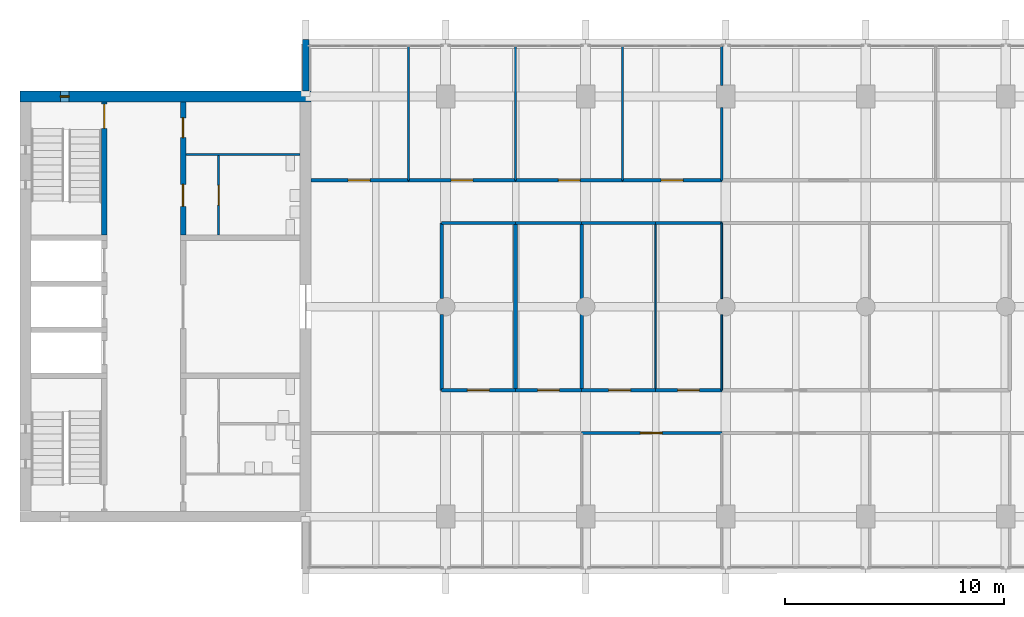
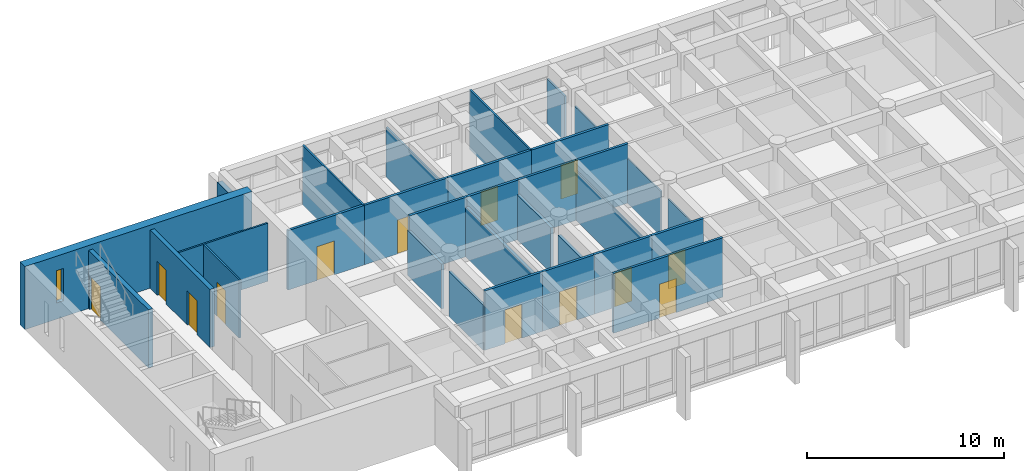
# One storey, part 10 of 15: 32 walls, 13 doors, 1 window, 14 openings.
"""IFC4 building model written with IfcOpenShell, lengths in metres."""

from ifc_helpers import new_model, si_unit, direction, frame, frame_2d, origin, place, context, subcontext, project, spatial, rectangle, extrude, material, layer, layer_set, type_object, element, fill, save


model = new_model("IFC4")

# Units and contexts
model_context = context("Model", 3, precision=1e-05, world=origin(), true_north=direction((0.0, 1.0)))
body_context = subcontext(model_context, "Body", "Model", "MODEL_VIEW")
ifc_project = project(units=[si_unit("LENGTHUNIT", "METRE"), si_unit("AREAUNIT", "SQUARE_METRE"), si_unit("VOLUMEUNIT", "CUBIC_METRE"), si_unit("PLANEANGLEUNIT", "RADIAN"), si_unit("MASSUNIT", "GRAM", prefix="KILO")], contexts=[model_context])

# Site, building, storey
site_placement = place(None, origin())
site = spatial("IfcSite", under=ifc_project, at=site_placement, CompositionType="ELEMENT")
building_placement = place(site_placement, origin())
building = spatial("IfcBuilding", under=site, at=building_placement, Name="Fogon Plaza Fire Station and Headquarters Tower", CompositionType="ELEMENT")
storey_placement = place(building_placement, frame((0.0, 0.0, 52.199951171875)))
storey = spatial("IfcBuildingStorey", under=building, at=storey_placement, Name="L13", CompositionType="ELEMENT", Elevation=52.199951171875)

# Wall, opening, door
ifc_material_1 = material(Name="Concrete C40", Category="concrete")
ifc_layer_1 = layer(ifc_material_1, 0.25)
ifc_layer_set_1 = layer_set([ifc_layer_1], Name="Concrete C40")
wall_type_1 = type_object("IfcWallType", Name="Core Wall RC 250", PredefinedType="SOLIDWALL", material=ifc_layer_set_1)
wall_1_placement = place(storey_placement, frame((16.39990234375, 46.47509765625, 0.0), z_axis=(0.0, 0.0, 1.0), x_axis=(0.0, 1.0, 0.0)))
wall_1 = element("IfcWall", 1, at=wall_1_placement, inside=storey, type_object=wall_type_1, Name="Core A shaft wall", PredefinedType="SOLIDWALL", context=body_context, shape_type="SweptSolid", body=[
    extrude(rectangle(XDim=6.074951171875, YDim=0.25, at=frame_2d((3.03759765625, 0.0))), origin(), (0.0, 0.0, 1.0), 3.60009765625),
])
opening_1_placement = place(wall_1_placement, frame((4.875, 0.0, 0.0)))
opening_1 = element("IfcOpeningElement", 2, at=opening_1_placement, cuts=wall_1, Name="Opening L13-D02", PredefinedType="OPENING", context=body_context, shape_type="SweptSolid", body=[
    extrude(rectangle(XDim=1.10009765625, YDim=2.10009765625, at=frame_2d((0.550048828125, 1.050048828125))), frame((0.0, 0.135009765625, 0.0), z_axis=(0.0, -1.0, 0.0), x_axis=(1.0, 0.0, 0.0)), (0.0, 0.0, 1.0), 0.27001953125),
])
ifc_material_2 = material(Name="Steel Fire Door Leaf", Category="steel")
door_type_1 = type_object("IfcDoorType", Name="Stair Door Single 1100x2100", OperationType="SINGLE_SWING_LEFT", PredefinedType="DOOR", material=ifc_material_2)
door_1_placement = place(opening_1_placement, origin())
door_1 = element("IfcDoor", 3, at=door_1_placement, inside=storey, type_object=door_type_1, Name="Stair door ST2", OperationType="SINGLE_SWING_RIGHT", OverallHeight=2.10009765625, OverallWidth=1.10009765625, PredefinedType="DOOR", context=body_context, shape_type="SweptSolid", body=[
    extrude(rectangle(XDim=1.10009765625, YDim=2.10009765625, at=frame_2d((0.550048828125, 1.050048828125))), frame((0.0, 0.02490234375, 0.0), z_axis=(0.0, -1.0, 0.0), x_axis=(1.0, 0.0, 0.0)), (0.0, 0.0, 1.0), 0.050048828125),
])
fill(opening_1, door_1)

# Wall, openings, doors
wall_2_placement = place(storey_placement, frame((20.0, 46.47509765625, 0.0), z_axis=(0.0, 0.0, 1.0), x_axis=(0.0, 1.0, 0.0)))
wall_2 = element("IfcWall", 4, at=wall_2_placement, inside=storey, type_object=wall_type_1, Name="Core A shaft wall", PredefinedType="SOLIDWALL", context=body_context, shape_type="SweptSolid", body=[
    extrude(rectangle(XDim=6.074951171875, YDim=0.25, at=frame_2d((3.03759765625, 0.0))), origin(), (0.0, 0.0, 1.0), 3.60009765625),
])
opening_2_placement = place(wall_2_placement, frame((1.3125, 0.0, 0.0)))
opening_2 = element("IfcOpeningElement", 5, at=opening_2_placement, cuts=wall_2, Name="Opening L13-D12", PredefinedType="OPENING", context=body_context, shape_type="SweptSolid", body=[
    extrude(rectangle(XDim=1.0, YDim=2.10009765625, at=frame_2d((0.5, 1.050048828125))), frame((0.0, 0.135009765625, 0.0), z_axis=(0.0, -1.0, 0.0), x_axis=(1.0, 0.0, 0.0)), (0.0, 0.0, 1.0), 0.27001953125),
])
opening_3_placement = place(wall_2_placement, frame((4.449951171875, 0.0, 0.0)))
opening_3 = element("IfcOpeningElement", 6, at=opening_3_placement, cuts=wall_2, Name="Opening L13-D14", PredefinedType="OPENING", context=body_context, shape_type="SweptSolid", body=[
    extrude(rectangle(XDim=0.89990234375, YDim=2.10009765625, at=frame_2d((0.449951171875, 1.050048828125))), frame((0.0, 0.135009765625, 0.0), z_axis=(0.0, -1.0, 0.0), x_axis=(1.0, 0.0, 0.0)), (0.0, 0.0, 1.0), 0.27001953125),
])
ifc_material_3 = material(Name="Steel Fire Door Leaf", Category="steel")
door_type_2 = type_object("IfcDoorType", Name="Riser Single 900x2100", OperationType="SINGLE_SWING_LEFT", PredefinedType="DOOR", material=ifc_material_3)
door_2_placement = place(opening_3_placement, frame((0.89990234375, 0.0, 0.0), z_axis=(0.0, 0.0, 1.0), x_axis=(-1.0, 0.0, 0.0)))
door_2 = element("IfcDoor", 7, at=door_2_placement, inside=storey, type_object=door_type_2, Name="Riser room A door", OperationType="SINGLE_SWING_LEFT", OverallHeight=2.10009765625, OverallWidth=0.89990234375, PredefinedType="DOOR", context=body_context, shape_type="SweptSolid", body=[
    extrude(rectangle(XDim=0.89990234375, YDim=2.10009765625, at=frame_2d((0.449951171875, 1.050048828125))), frame((0.0, 0.02490234375, 0.0), z_axis=(0.0, -1.0, 0.0), x_axis=(1.0, 0.0, 0.0)), (0.0, 0.0, 1.0), 0.050048828125),
])
fill(opening_3, door_2)
ifc_material_4 = material(Name="Timber fire door", Category="wood")
door_type_3 = type_object("IfcDoorType", Name="WC Lobby Single 1000x2100", OperationType="SINGLE_SWING_LEFT", PredefinedType="DOOR", material=ifc_material_4)
door_3_placement = place(opening_2_placement, frame((1.0, 0.0, 0.0), z_axis=(0.0, 0.0, 1.0), x_axis=(-1.0, 0.0, 0.0)))
door_3 = element("IfcDoor", 8, at=door_3_placement, inside=storey, type_object=door_type_3, Name="Women's WC lobby A door", OperationType="SINGLE_SWING_LEFT", OverallHeight=2.10009765625, OverallWidth=1.0, PredefinedType="DOOR", context=body_context, shape_type="SweptSolid", body=[
    extrude(rectangle(XDim=1.0, YDim=2.10009765625, at=frame_2d((0.5, 1.050048828125))), frame((0.0, 0.02490234375, 0.0), z_axis=(0.0, -1.0, 0.0), x_axis=(1.0, 0.0, 0.0)), (0.0, 0.0, 1.0), 0.050048828125),
])
fill(opening_2, door_3)

# Wall
ifc_material_5 = material(Name="Concrete C40", Category="concrete")
ifc_layer_2 = layer(ifc_material_5, 0.300048828125)
ifc_layer_set_2 = layer_set([ifc_layer_2], Name="Concrete C40")
wall_type_2 = type_object("IfcWallType", Name="Fair-faced RC Return Panel 300", PredefinedType="SOLIDWALL", material=ifc_layer_set_2)
wall_3_placement = place(storey_placement, frame((25.60009765625, 53.050048828125, 0.0), z_axis=(0.0, 0.0, 1.0), x_axis=(0.0, 1.0, 0.0)))
element("IfcWall", 9, at=wall_3_placement, inside=storey, type_object=wall_type_2, Name="Bar end return WN L13", PredefinedType="SOLIDWALL", context=body_context, shape_type="SweptSolid", body=[
    extrude(rectangle(XDim=2.349853515625, YDim=0.300048828125, at=frame_2d((1.1748046875, 0.0))), origin(), (0.0, 0.0, 1.0), 2.880126953125),
])

# Wall, opening, door
ifc_material_6 = material(Name="Blockwork", Category="masonry")
ifc_layer_3 = layer(ifc_material_6, 0.10009765625)
ifc_layer_set_3 = layer_set([ifc_layer_3], Name="Blockwork")
wall_type_3 = type_object("IfcWallType", Name="Partition Blockwork 100", PredefinedType="PARTITIONING", material=ifc_layer_set_3)
wall_4_placement = place(storey_placement, frame((21.625, 46.47509765625, 0.0), z_axis=(0.0, 0.0, 1.0), x_axis=(0.0, 1.0, 0.0)))
wall_4 = element("IfcWall", 10, at=wall_4_placement, inside=storey, type_object=wall_type_3, Name="WC block partition", PredefinedType="PARTITIONING", context=body_context, shape_type="SweptSolid", body=[
    extrude(rectangle(XDim=3.625, YDim=0.10009765625, at=frame_2d((1.8125, 0.0))), origin(), (0.0, 0.0, 1.0), 3.60009765625),
])
opening_4_placement = place(wall_4_placement, frame((1.362548828125, 0.0, 0.0)))
opening_4 = element("IfcOpeningElement", 11, at=opening_4_placement, cuts=wall_4, Name="Opening L13-D13", PredefinedType="OPENING", context=body_context, shape_type="SweptSolid", body=[
    extrude(rectangle(XDim=0.89990234375, YDim=2.10009765625, at=frame_2d((0.449951171875, 1.050048828125))), frame((0.0, 0.06005859375, 0.0), z_axis=(0.0, -1.0, 0.0), x_axis=(1.0, 0.0, 0.0)), (0.0, 0.0, 1.0), 0.1201171875),
])
ifc_material_7 = material(Name="Timber Door Leaf", Category="wood")
door_type_4 = type_object("IfcDoorType", Name="WC Single 900x2100", OperationType="SINGLE_SWING_LEFT", PredefinedType="DOOR", material=ifc_material_7)
door_4_placement = place(opening_4_placement, frame((0.89990234375, 0.0, 0.0), z_axis=(0.0, 0.0, 1.0), x_axis=(-1.0, 0.0, 0.0)))
door_4 = element("IfcDoor", 12, at=door_4_placement, inside=storey, type_object=door_type_4, Name="Women's WC A door", OperationType="SINGLE_SWING_RIGHT", OverallHeight=2.10009765625, OverallWidth=0.89990234375, PredefinedType="DOOR", context=body_context, shape_type="SweptSolid", body=[
    extrude(rectangle(XDim=0.89990234375, YDim=2.10009765625, at=frame_2d((0.449951171875, 1.050048828125))), frame((0.0, 0.02490234375, 0.0), z_axis=(0.0, -1.0, 0.0), x_axis=(1.0, 0.0, 0.0)), (0.0, 0.0, 1.0), 0.050048828125),
])
fill(opening_4, door_4)

# Wall
ifc_material_8 = material(Name="Blockwork", Category="masonry")
ifc_layer_4 = layer(ifc_material_8, 0.10009765625)
ifc_layer_set_4 = layer_set([ifc_layer_4], Name="Blockwork")
wall_type_4 = type_object("IfcWallType", Name="Riser Partition Blockwork 100", PredefinedType="PARTITIONING", material=ifc_layer_set_4)
wall_5_placement = place(storey_placement, frame((20.125, 50.14990234375, 0.0), z_axis=(0.0, 0.0, 1.0), x_axis=(1.0, 0.0, 0.0)))
element("IfcWall", 13, at=wall_5_placement, inside=storey, type_object=wall_type_4, Name="Riser room partition", PredefinedType="PARTITIONING", context=body_context, shape_type="SweptSolid", body=[
    extrude(rectangle(XDim=5.22509765625, YDim=0.10009765625, at=frame_2d((2.612548828125, 0.0))), origin(), (0.0, 0.0, 1.0), 3.60009765625),
])

# Wall, opening, window
ifc_material_9 = material(Name="Concrete C40", Category="concrete")
ifc_layer_5 = layer(ifc_material_9, 0.5)
ifc_layer_set_5 = layer_set([ifc_layer_5], Name="Concrete C40")
wall_type_5 = type_object("IfcWallType", Name="Shear wall 500 SW50", PredefinedType="SHEAR", material=ifc_layer_set_5)
wall_6_placement = place(storey_placement, frame((12.550048828125, 52.800048828125, 0.0), z_axis=(0.0, 0.0, 1.0), x_axis=(1.0, 0.0, 0.0)))
wall_6 = element("IfcWall", 14, at=wall_6_placement, inside=storey, type_object=wall_type_5, Name="wall-coreA-N-L13", PredefinedType="SHEAR", context=body_context, shape_type="SweptSolid", body=[
    extrude(rectangle(XDim=13.300048828125, YDim=0.5, at=frame_2d((6.64990234375, 0.0))), origin(), (0.0, 0.0, 1.0), 3.900146484375),
])
opening_5_placement = place(wall_6_placement, frame((1.85009765625, 0.0, 1.0)))
opening_5 = element("IfcOpeningElement", 15, at=opening_5_placement, cuts=wall_6, Name="Opening WS1", PredefinedType="OPENING", context=body_context, shape_type="SweptSolid", body=[
    extrude(rectangle(XDim=0.39990234375, YDim=2.0, at=frame_2d((0.199951171875, 1.0))), frame((0.0, 0.260009765625, 0.0), z_axis=(0.0, -1.0, 0.0), x_axis=(1.0, 0.0, 0.0)), (0.0, 0.0, 1.0), 0.52001953125),
])
ifc_material_10 = material(Name="Aluminium framed double glazing", Category="aluminium")
window_type = type_object("IfcWindowType", Name="Slit Window WS1 400x2000", PartitioningType="SINGLE_PANEL", PredefinedType="WINDOW", material=ifc_material_10)
window_placement = place(opening_5_placement, origin())
window = element("IfcWindow", 16, at=window_placement, inside=storey, type_object=window_type, Name="Slit window A6 L13", OverallHeight=2.0, OverallWidth=0.39990234375, PartitioningType="SINGLE_PANEL", PredefinedType="WINDOW", context=body_context, shape_type="SweptSolid", body=[
    extrude(rectangle(XDim=0.39990234375, YDim=2.0, at=frame_2d((0.199951171875, 1.0))), frame((0.0, 0.030029296875, 0.0), z_axis=(0.0, -1.0, 0.0), x_axis=(1.0, 0.0, 0.0)), (0.0, 0.0, 1.0), 0.06005859375),
])
fill(opening_5, window)

# Walls
ifc_material_11 = material(Name="Double gypsum board on twin steel stud", Category="steel")
ifc_layer_6 = layer(ifc_material_11, 0.175048828125)
ifc_layer_set_6 = layer_set([ifc_layer_6], Name="Double gypsum board on twin steel stud")
wall_type_6 = type_object("IfcWallType", Name="Tower acoustic partition 175 Beam Head 600", PredefinedType="PARTITIONING", material=ifc_layer_set_6)
wall_7_placement = place(storey_placement, frame((35.199951171875, 39.375, 0.0), z_axis=(0.0, 0.0, 1.0), x_axis=(0.0, 1.0, 0.0)))
element("IfcWall", 17, at=wall_7_placement, inside=storey, type_object=wall_type_6, Name="part-L13-28", PredefinedType="PARTITIONING", context=body_context, shape_type="SweptSolid", body=[
    extrude(rectangle(XDim=7.64990234375, YDim=0.175048828125, at=frame_2d((3.824951171875, 0.0))), origin(), (0.0, 0.0, 1.0), 3.080078125),
])
ifc_material_12 = material(Name="Double gypsum board on twin steel stud", Category="steel")
ifc_layer_7 = layer(ifc_material_12, 0.175048828125)
ifc_layer_set_7 = layer_set([ifc_layer_7], Name="Double gypsum board on twin steel stud")
wall_type_7 = type_object("IfcWallType", Name="Tower acoustic partition 175 Beam Head 900", PredefinedType="PARTITIONING", material=ifc_layer_set_7)
for number, where, z_axis, x_axis, name in (
    (18, (38.219970703125, 39.375, 0.0), (0.0, 0.0, 1.0), (0.0, 1.0, 0.0), "part-L13-29"),
    (19, (38.219970703125, 43.56494140625, 0.0), (0.0, 0.0, 1.0), (0.0, 1.0, 0.0), "part-L13-30"),
):
    element("IfcWall", number, at=place(storey_placement, frame(where, z_axis=z_axis, x_axis=x_axis)), inside=storey, type_object=wall_type_7, Name=name, PredefinedType="PARTITIONING", context=body_context, shape_type="SweptSolid", body=[
        extrude(rectangle(XDim=3.4599609375, YDim=0.175048828125, at=frame_2d((1.72998046875, 0.0))), origin(), (0.0, 0.0, 1.0), 2.780029296875),
    ])

# Wall, opening, door
ifc_material_13 = material(Name="Gypsum board on steel stud", Category="steel")
ifc_layer_8 = layer(ifc_material_13, 0.14990234375)
ifc_layer_set_8 = layer_set([ifc_layer_8], Name="Gypsum board on steel stud")
wall_type_8 = type_object("IfcWallType", Name="Tower corridor partition 150 EI 60", PredefinedType="PARTITIONING", material=ifc_layer_set_8)
wall_8_placement = place(storey_placement, frame((38.219970703125, 37.425048828125, 0.0), z_axis=(0.0, 0.0, 1.0), x_axis=(1.0, 0.0, 0.0)))
wall_8 = element("IfcWall", 20, at=wall_8_placement, inside=storey, type_object=wall_type_8, Name="part-L13-03", PredefinedType="PARTITIONING", context=body_context, shape_type="SweptSolid", body=[
    extrude(rectangle(XDim=6.400146484375, YDim=0.14990234375, at=frame_2d((3.2001953125, 0.0))), origin(), (0.0, 0.0, 1.0), 3.679931640625),
])
opening_6_placement = place(wall_8_placement, frame((2.679931640625, 0.0, 0.0)))
opening_6 = element("IfcOpeningElement", 21, at=opening_6_placement, cuts=wall_8, Name="Opening L13-D31", PredefinedType="OPENING", context=body_context, shape_type="SweptSolid", body=[
    extrude(rectangle(XDim=1.0, YDim=2.10009765625, at=frame_2d((0.5, 1.050048828125))), frame((0.0, 0.0849609375, 0.0), z_axis=(0.0, -1.0, 0.0), x_axis=(1.0, 0.0, 0.0)), (0.0, 0.0, 1.0), 0.169921875),
])
ifc_material_14 = material(Name="Fire rated glazed door")
door_type_5 = type_object("IfcDoorType", Name="Tower glazed fire door single 1000 EI 20", OperationType="SINGLE_SWING_LEFT", PredefinedType="DOOR", material=ifc_material_14)
door_5_placement = place(opening_6_placement, frame((1.0, 0.0, 0.0), z_axis=(0.0, 0.0, 1.0), x_axis=(-1.0, 0.0, 0.0)))
door_5 = element("IfcDoor", 22, at=door_5_placement, inside=storey, type_object=door_type_5, Name="door-L13-03", OperationType="SINGLE_SWING_RIGHT", OverallHeight=2.10009765625, OverallWidth=1.0, PredefinedType="DOOR", context=body_context, shape_type="SweptSolid", body=[
    extrude(rectangle(XDim=1.0, YDim=2.10009765625, at=frame_2d((0.5, 1.050048828125))), frame((0.0, 0.02490234375, 0.0), z_axis=(0.0, -1.0, 0.0), x_axis=(1.0, 0.0, 0.0)), (0.0, 0.0, 1.0), 0.050048828125),
])
fill(opening_6, door_5)

wall_9_placement = place(storey_placement, frame((31.820068359375, 39.375, 0.0), z_axis=(0.0, 0.0, 1.0), x_axis=(1.0, 0.0, 0.0)))
wall_9 = element("IfcWall", 23, at=wall_9_placement, inside=storey, type_object=wall_type_8, Name="part-L13-16", PredefinedType="PARTITIONING", context=body_context, shape_type="SweptSolid", body=[
    extrude(rectangle(XDim=3.3798828125, YDim=0.14990234375, at=frame_2d((1.68994140625, 0.0))), origin(), (0.0, 0.0, 1.0), 3.679931640625),
])
opening_7_placement = place(wall_9_placement, frame((1.179931640625, 0.0, 0.0)))
opening_7 = element("IfcOpeningElement", 24, at=opening_7_placement, cuts=wall_9, Name="Opening L13-D35", PredefinedType="OPENING", context=body_context, shape_type="SweptSolid", body=[
    extrude(rectangle(XDim=1.0, YDim=2.10009765625, at=frame_2d((0.5, 1.050048828125))), frame((0.0, 0.0849609375, 0.0), z_axis=(0.0, -1.0, 0.0), x_axis=(1.0, 0.0, 0.0)), (0.0, 0.0, 1.0), 0.169921875),
])
ifc_material_15 = material(Name="Timber fire door", Category="wood")
door_type_6 = type_object("IfcDoorType", Name="Tower fire door single 1000 EI 20", OperationType="SINGLE_SWING_LEFT", PredefinedType="DOOR", material=ifc_material_15)
door_6_placement = place(opening_7_placement, origin())
door_6 = element("IfcDoor", 25, at=door_6_placement, inside=storey, type_object=door_type_6, Name="door-L13-07", OperationType="SINGLE_SWING_RIGHT", OverallHeight=2.10009765625, OverallWidth=1.0, PredefinedType="DOOR", context=body_context, shape_type="SweptSolid", body=[
    extrude(rectangle(XDim=1.0, YDim=2.10009765625, at=frame_2d((0.5, 1.050048828125))), frame((0.0, 0.02490234375, 0.0), z_axis=(0.0, -1.0, 0.0), x_axis=(1.0, 0.0, 0.0)), (0.0, 0.0, 1.0), 0.050048828125),
])
fill(opening_7, door_6)

# Wall
wall_10_placement = place(storey_placement, frame((31.820068359375, 47.02490234375, 0.0), z_axis=(0.0, 0.0, 1.0), x_axis=(1.0, 0.0, 0.0)))
element("IfcWall", 26, at=wall_10_placement, inside=storey, type_object=wall_type_8, Name="part-L13-17", PredefinedType="PARTITIONING", context=body_context, shape_type="SweptSolid", body=[
    extrude(rectangle(XDim=3.3798828125, YDim=0.14990234375, at=frame_2d((1.68994140625, 0.0))), origin(), (0.0, 0.0, 1.0), 3.679931640625),
])

# Wall, opening, door
wall_11_placement = place(storey_placement, frame((35.199951171875, 39.375, 0.0), z_axis=(0.0, 0.0, 1.0), x_axis=(1.0, 0.0, 0.0)))
wall_11 = element("IfcWall", 27, at=wall_11_placement, inside=storey, type_object=wall_type_8, Name="part-L13-18", PredefinedType="PARTITIONING", context=body_context, shape_type="SweptSolid", body=[
    extrude(rectangle(XDim=3.02001953125, YDim=0.14990234375, at=frame_2d((1.510009765625, 0.0))), origin(), (0.0, 0.0, 1.0), 3.679931640625),
])
opening_8_placement = place(wall_11_placement, frame((1.0, 0.0, 0.0)))
opening_8 = element("IfcOpeningElement", 28, at=opening_8_placement, cuts=wall_11, Name="Opening L13-D36", PredefinedType="OPENING", context=body_context, shape_type="SweptSolid", body=[
    extrude(rectangle(XDim=1.0, YDim=2.10009765625, at=frame_2d((0.5, 1.050048828125))), frame((0.0, 0.0849609375, 0.0), z_axis=(0.0, -1.0, 0.0), x_axis=(1.0, 0.0, 0.0)), (0.0, 0.0, 1.0), 0.169921875),
])
door_7_placement = place(opening_8_placement, origin())
door_7 = element("IfcDoor", 29, at=door_7_placement, inside=storey, type_object=door_type_6, Name="door-L13-08", OperationType="SINGLE_SWING_LEFT", OverallHeight=2.10009765625, OverallWidth=1.0, PredefinedType="DOOR", context=body_context, shape_type="SweptSolid", body=[
    extrude(rectangle(XDim=1.0, YDim=2.10009765625, at=frame_2d((0.5, 1.050048828125))), frame((0.0, 0.02490234375, 0.0), z_axis=(0.0, -1.0, 0.0), x_axis=(1.0, 0.0, 0.0)), (0.0, 0.0, 1.0), 0.050048828125),
])
fill(opening_8, door_7)

# Wall
wall_12_placement = place(storey_placement, frame((35.199951171875, 47.02490234375, 0.0), z_axis=(0.0, 0.0, 1.0), x_axis=(1.0, 0.0, 0.0)))
element("IfcWall", 30, at=wall_12_placement, inside=storey, type_object=wall_type_8, Name="part-L13-19", PredefinedType="PARTITIONING", context=body_context, shape_type="SweptSolid", body=[
    extrude(rectangle(XDim=3.02001953125, YDim=0.14990234375, at=frame_2d((1.510009765625, 0.0))), origin(), (0.0, 0.0, 1.0), 3.679931640625),
])

# Wall, opening, door
wall_13_placement = place(storey_placement, frame((38.219970703125, 39.375, 0.0), z_axis=(0.0, 0.0, 1.0), x_axis=(1.0, 0.0, 0.0)))
wall_13 = element("IfcWall", 31, at=wall_13_placement, inside=storey, type_object=wall_type_8, Name="part-L13-20", PredefinedType="PARTITIONING", context=body_context, shape_type="SweptSolid", body=[
    extrude(rectangle(XDim=3.380126953125, YDim=0.14990234375, at=frame_2d((1.68994140625, 0.0))), origin(), (0.0, 0.0, 1.0), 3.679931640625),
])
opening_9_placement = place(wall_13_placement, frame((1.22998046875, 0.0, 0.0)))
opening_9 = element("IfcOpeningElement", 32, at=opening_9_placement, cuts=wall_13, Name="Opening L13-D37", PredefinedType="OPENING", context=body_context, shape_type="SweptSolid", body=[
    extrude(rectangle(XDim=1.0, YDim=2.10009765625, at=frame_2d((0.5, 1.050048828125))), frame((0.0, 0.0849609375, 0.0), z_axis=(0.0, -1.0, 0.0), x_axis=(1.0, 0.0, 0.0)), (0.0, 0.0, 1.0), 0.169921875),
])
door_8_placement = place(opening_9_placement, origin())
door_8 = element("IfcDoor", 33, at=door_8_placement, inside=storey, type_object=door_type_5, Name="door-L13-09", OperationType="SINGLE_SWING_RIGHT", OverallHeight=2.10009765625, OverallWidth=1.0, PredefinedType="DOOR", context=body_context, shape_type="SweptSolid", body=[
    extrude(rectangle(XDim=1.0, YDim=2.10009765625, at=frame_2d((0.5, 1.050048828125))), frame((0.0, 0.02490234375, 0.0), z_axis=(0.0, -1.0, 0.0), x_axis=(1.0, 0.0, 0.0)), (0.0, 0.0, 1.0), 0.050048828125),
])
fill(opening_9, door_8)

# Wall
wall_14_placement = place(storey_placement, frame((38.219970703125, 47.02490234375, 0.0), z_axis=(0.0, 0.0, 1.0), x_axis=(1.0, 0.0, 0.0)))
element("IfcWall", 34, at=wall_14_placement, inside=storey, type_object=wall_type_8, Name="part-L13-21", PredefinedType="PARTITIONING", context=body_context, shape_type="SweptSolid", body=[
    extrude(rectangle(XDim=3.380126953125, YDim=0.14990234375, at=frame_2d((1.68994140625, 0.0))), origin(), (0.0, 0.0, 1.0), 3.679931640625),
])

# Wall, opening, door
wall_15_placement = place(storey_placement, frame((41.60009765625, 39.375, 0.0), z_axis=(0.0, 0.0, 1.0), x_axis=(1.0, 0.0, 0.0)))
wall_15 = element("IfcWall", 35, at=wall_15_placement, inside=storey, type_object=wall_type_8, Name="part-L13-22", PredefinedType="PARTITIONING", context=body_context, shape_type="SweptSolid", body=[
    extrude(rectangle(XDim=3.02001953125, YDim=0.14990234375, at=frame_2d((1.510009765625, 0.0))), origin(), (0.0, 0.0, 1.0), 3.679931640625),
])
opening_10_placement = place(wall_15_placement, frame((1.0, 0.0, 0.0)))
opening_10 = element("IfcOpeningElement", 36, at=opening_10_placement, cuts=wall_15, Name="Opening L13-D38", PredefinedType="OPENING", context=body_context, shape_type="SweptSolid", body=[
    extrude(rectangle(XDim=1.0, YDim=2.10009765625, at=frame_2d((0.5, 1.050048828125))), frame((0.0, 0.0849609375, 0.0), z_axis=(0.0, -1.0, 0.0), x_axis=(1.0, 0.0, 0.0)), (0.0, 0.0, 1.0), 0.169921875),
])
door_9_placement = place(opening_10_placement, origin())
door_9 = element("IfcDoor", 37, at=door_9_placement, inside=storey, type_object=door_type_6, Name="door-L13-10", OperationType="SINGLE_SWING_LEFT", OverallHeight=2.10009765625, OverallWidth=1.0, PredefinedType="DOOR", context=body_context, shape_type="SweptSolid", body=[
    extrude(rectangle(XDim=1.0, YDim=2.10009765625, at=frame_2d((0.5, 1.050048828125))), frame((0.0, 0.02490234375, 0.0), z_axis=(0.0, -1.0, 0.0), x_axis=(1.0, 0.0, 0.0)), (0.0, 0.0, 1.0), 0.050048828125),
])
fill(opening_10, door_9)

# Wall
wall_16_placement = place(storey_placement, frame((41.60009765625, 47.02490234375, 0.0), z_axis=(0.0, 0.0, 1.0), x_axis=(1.0, 0.0, 0.0)))
element("IfcWall", 38, at=wall_16_placement, inside=storey, type_object=wall_type_8, Name="part-L13-23", PredefinedType="PARTITIONING", context=body_context, shape_type="SweptSolid", body=[
    extrude(rectangle(XDim=3.02001953125, YDim=0.14990234375, at=frame_2d((1.510009765625, 0.0))), origin(), (0.0, 0.0, 1.0), 3.679931640625),
])

# Wall, opening, door
wall_17_placement = place(storey_placement, frame((25.85009765625, 48.97509765625, 0.0), z_axis=(0.0, 0.0, 1.0), x_axis=(1.0, 0.0, 0.0)))
wall_17 = element("IfcWall", 39, at=wall_17_placement, inside=storey, type_object=wall_type_8, Name="part-L13-36", PredefinedType="PARTITIONING", context=body_context, shape_type="SweptSolid", body=[
    extrude(rectangle(XDim=4.4599609375, YDim=0.14990234375, at=frame_2d((2.22998046875, 0.0))), origin(), (0.0, 0.0, 1.0), 3.679931640625),
])
opening_11_placement = place(wall_17_placement, frame((1.699951171875, 0.0, 0.0)))
opening_11 = element("IfcOpeningElement", 40, at=opening_11_placement, cuts=wall_17, Name="Opening L13-D41", PredefinedType="OPENING", context=body_context, shape_type="SweptSolid", body=[
    extrude(rectangle(XDim=1.0, YDim=2.10009765625, at=frame_2d((0.5, 1.050048828125))), frame((0.0, 0.0849609375, 0.0), z_axis=(0.0, -1.0, 0.0), x_axis=(1.0, 0.0, 0.0)), (0.0, 0.0, 1.0), 0.169921875),
])
door_10_placement = place(opening_11_placement, origin())
door_10 = element("IfcDoor", 41, at=door_10_placement, inside=storey, type_object=door_type_6, Name="door-L13-13", OperationType="SINGLE_SWING_RIGHT", OverallHeight=2.10009765625, OverallWidth=1.0, PredefinedType="DOOR", context=body_context, shape_type="SweptSolid", body=[
    extrude(rectangle(XDim=1.0, YDim=2.10009765625, at=frame_2d((0.5, 1.050048828125))), frame((0.0, 0.02490234375, 0.0), z_axis=(0.0, -1.0, 0.0), x_axis=(1.0, 0.0, 0.0)), (0.0, 0.0, 1.0), 0.050048828125),
])
fill(opening_11, door_10)

wall_18_placement = place(storey_placement, frame((30.31005859375, 48.97509765625, 0.0), z_axis=(0.0, 0.0, 1.0), x_axis=(1.0, 0.0, 0.0)))
wall_18 = element("IfcWall", 42, at=wall_18_placement, inside=storey, type_object=wall_type_8, Name="part-L13-37", PredefinedType="PARTITIONING", context=body_context, shape_type="SweptSolid", body=[
    extrude(rectangle(XDim=4.889892578125, YDim=0.14990234375, at=frame_2d((2.44482421875, 0.0))), origin(), (0.0, 0.0, 1.0), 3.679931640625),
])
opening_12_placement = place(wall_18_placement, frame((1.93994140625, 0.0, 0.0)))
opening_12 = element("IfcOpeningElement", 43, at=opening_12_placement, cuts=wall_18, Name="Opening L13-D42", PredefinedType="OPENING", context=body_context, shape_type="SweptSolid", body=[
    extrude(rectangle(XDim=1.0, YDim=2.10009765625, at=frame_2d((0.5, 1.050048828125))), frame((0.0, 0.0849609375, 0.0), z_axis=(0.0, -1.0, 0.0), x_axis=(1.0, 0.0, 0.0)), (0.0, 0.0, 1.0), 0.169921875),
])
door_11_placement = place(opening_12_placement, origin())
door_11 = element("IfcDoor", 44, at=door_11_placement, inside=storey, type_object=door_type_6, Name="door-L13-14", OperationType="SINGLE_SWING_LEFT", OverallHeight=2.10009765625, OverallWidth=1.0, PredefinedType="DOOR", context=body_context, shape_type="SweptSolid", body=[
    extrude(rectangle(XDim=1.0, YDim=2.10009765625, at=frame_2d((0.5, 1.050048828125))), frame((0.0, 0.02490234375, 0.0), z_axis=(0.0, -1.0, 0.0), x_axis=(1.0, 0.0, 0.0)), (0.0, 0.0, 1.0), 0.050048828125),
])
fill(opening_12, door_11)

wall_19_placement = place(storey_placement, frame((35.199951171875, 48.97509765625, 0.0), z_axis=(0.0, 0.0, 1.0), x_axis=(1.0, 0.0, 0.0)))
wall_19 = element("IfcWall", 45, at=wall_19_placement, inside=storey, type_object=wall_type_8, Name="part-L13-38", PredefinedType="PARTITIONING", context=body_context, shape_type="SweptSolid", body=[
    extrude(rectangle(XDim=4.89013671875, YDim=0.14990234375, at=frame_2d((2.445068359375, 0.0))), origin(), (0.0, 0.0, 1.0), 3.679931640625),
])
opening_13_placement = place(wall_19_placement, frame((1.949951171875, 0.0, 0.0)))
opening_13 = element("IfcOpeningElement", 46, at=opening_13_placement, cuts=wall_19, Name="Opening L13-D43", PredefinedType="OPENING", context=body_context, shape_type="SweptSolid", body=[
    extrude(rectangle(XDim=1.0, YDim=2.10009765625, at=frame_2d((0.5, 1.050048828125))), frame((0.0, 0.0849609375, 0.0), z_axis=(0.0, -1.0, 0.0), x_axis=(1.0, 0.0, 0.0)), (0.0, 0.0, 1.0), 0.169921875),
])
door_12_placement = place(opening_13_placement, origin())
door_12 = element("IfcDoor", 47, at=door_12_placement, inside=storey, type_object=door_type_6, Name="door-L13-15", OperationType="SINGLE_SWING_RIGHT", OverallHeight=2.10009765625, OverallWidth=1.0, PredefinedType="DOOR", context=body_context, shape_type="SweptSolid", body=[
    extrude(rectangle(XDim=1.0, YDim=2.10009765625, at=frame_2d((0.5, 1.050048828125))), frame((0.0, 0.02490234375, 0.0), z_axis=(0.0, -1.0, 0.0), x_axis=(1.0, 0.0, 0.0)), (0.0, 0.0, 1.0), 0.050048828125),
])
fill(opening_13, door_12)

wall_20_placement = place(storey_placement, frame((40.090087890625, 48.97509765625, 0.0), z_axis=(0.0, 0.0, 1.0), x_axis=(1.0, 0.0, 0.0)))
wall_20 = element("IfcWall", 48, at=wall_20_placement, inside=storey, type_object=wall_type_8, Name="part-L13-39", PredefinedType="PARTITIONING", context=body_context, shape_type="SweptSolid", body=[
    extrude(rectangle(XDim=4.530029296875, YDim=0.14990234375, at=frame_2d((2.26513671875, 0.0))), origin(), (0.0, 0.0, 1.0), 3.679931640625),
])
opening_14_placement = place(wall_20_placement, frame((1.760009765625, 0.0, 0.0)))
opening_14 = element("IfcOpeningElement", 49, at=opening_14_placement, cuts=wall_20, Name="Opening L13-D44", PredefinedType="OPENING", context=body_context, shape_type="SweptSolid", body=[
    extrude(rectangle(XDim=1.0, YDim=2.10009765625, at=frame_2d((0.5, 1.050048828125))), frame((0.0, 0.0849609375, 0.0), z_axis=(0.0, -1.0, 0.0), x_axis=(1.0, 0.0, 0.0)), (0.0, 0.0, 1.0), 0.169921875),
])
door_13_placement = place(opening_14_placement, origin())
door_13 = element("IfcDoor", 50, at=door_13_placement, inside=storey, type_object=door_type_6, Name="door-L13-16", OperationType="SINGLE_SWING_LEFT", OverallHeight=2.10009765625, OverallWidth=1.0, PredefinedType="DOOR", context=body_context, shape_type="SweptSolid", body=[
    extrude(rectangle(XDim=1.0, YDim=2.10009765625, at=frame_2d((0.5, 1.050048828125))), frame((0.0, 0.02490234375, 0.0), z_axis=(0.0, -1.0, 0.0), x_axis=(1.0, 0.0, 0.0)), (0.0, 0.0, 1.0), 0.050048828125),
])
fill(opening_14, door_13)

# Walls
ifc_material_16 = material(Name="Gypsum board on steel stud", Category="steel")
ifc_layer_9 = layer(ifc_material_16, 0.14990234375)
ifc_layer_set_9 = layer_set([ifc_layer_9], Name="Gypsum board on steel stud")
wall_type_9 = type_object("IfcWallType", Name="Tower corridor partition 150 EI 60 Beam Head 900", PredefinedType="PARTITIONING", material=ifc_layer_set_9)
for number, where, z_axis, x_axis, name in (
    (51, (31.820068359375, 39.375, 0.0), (0.0, 0.0, 1.0), (0.0, 1.0, 0.0), "part-L13-48"),
    (52, (31.820068359375, 43.56494140625, 0.0), (0.0, 0.0, 1.0), (0.0, 1.0, 0.0), "part-L13-49"),
):
    element("IfcWall", number, at=place(storey_placement, frame(where, z_axis=z_axis, x_axis=x_axis)), inside=storey, type_object=wall_type_9, Name=name, PredefinedType="PARTITIONING", context=body_context, shape_type="SweptSolid", body=[
        extrude(rectangle(XDim=3.4599609375, YDim=0.14990234375, at=frame_2d((1.72998046875, 0.0))), origin(), (0.0, 0.0, 1.0), 2.780029296875),
    ])
ifc_material_17 = material(Name="Glazed aluminium partition", Category="aluminium")
ifc_layer_10 = layer(ifc_material_17, 0.074951171875)
ifc_layer_set_10 = layer_set([ifc_layer_10], Name="Glazed aluminium partition")
wall_type_10 = type_object("IfcWallType", Name="Tower glazed partition 75 Beam Head 600", PredefinedType="PARTITIONING", material=ifc_layer_set_10)
wall_21_placement = place(storey_placement, frame((41.60009765625, 39.375, 0.0), z_axis=(0.0, 0.0, 1.0), x_axis=(0.0, 1.0, 0.0)))
element("IfcWall", 53, at=wall_21_placement, inside=storey, type_object=wall_type_10, Name="part-L13-31", PredefinedType="PARTITIONING", context=body_context, shape_type="SweptSolid", body=[
    extrude(rectangle(XDim=7.64990234375, YDim=0.074951171875, at=frame_2d((3.824951171875, 0.0))), origin(), (0.0, 0.0, 1.0), 3.080078125),
])
ifc_material_18 = material(Name="Glazed aluminium partition", Category="aluminium")
ifc_layer_11 = layer(ifc_material_18, 0.074951171875)
ifc_layer_set_11 = layer_set([ifc_layer_11], Name="Glazed aluminium partition")
wall_type_11 = type_object("IfcWallType", Name="Tower glazed partition 75 Beam Head 900", PredefinedType="PARTITIONING", material=ifc_layer_set_11)
for number, where, z_axis, x_axis, name in (
    (54, (44.6201171875, 39.375, 0.0), (0.0, 0.0, 1.0), (0.0, 1.0, 0.0), "part-L13-32"),
    (55, (44.6201171875, 43.56494140625, 0.0), (0.0, 0.0, 1.0), (0.0, 1.0, 0.0), "part-L13-33"),
):
    element("IfcWall", number, at=place(storey_placement, frame(where, z_axis=z_axis, x_axis=x_axis)), inside=storey, type_object=wall_type_11, Name=name, PredefinedType="PARTITIONING", context=body_context, shape_type="SweptSolid", body=[
        extrude(rectangle(XDim=3.4599609375, YDim=0.074951171875, at=frame_2d((1.72998046875, 0.0))), origin(), (0.0, 0.0, 1.0), 2.780029296875),
    ])
ifc_material_19 = material(Name="Gypsum board on steel stud", Category="steel")
ifc_layer_12 = layer(ifc_material_19, 0.10009765625)
ifc_layer_set_12 = layer_set([ifc_layer_12], Name="Gypsum board on steel stud")
wall_type_12 = type_object("IfcWallType", Name="Tower office partition 100", PredefinedType="PARTITIONING", material=ifc_layer_set_12)
for number, where, z_axis, x_axis, name in (
    (56, (30.31005859375, 48.97509765625, 0.0), (0.0, 0.0, 1.0), (0.0, 1.0, 0.0), "part-L13-42"),
    (57, (40.090087890625, 48.97509765625, 0.0), (0.0, 0.0, 1.0), (0.0, 1.0, 0.0), "part-L13-44"),
):
    element("IfcWall", number, at=place(storey_placement, frame(where, z_axis=z_axis, x_axis=x_axis)), inside=storey, type_object=wall_type_12, Name=name, PredefinedType="PARTITIONING", context=body_context, shape_type="SweptSolid", body=[
        extrude(rectangle(XDim=6.125, YDim=0.10009765625, at=frame_2d((3.0625, 0.0))), origin(), (0.0, 0.0, 1.0), 3.679931640625),
    ])
ifc_material_20 = material(Name="Gypsum board on steel stud", Category="steel")
ifc_layer_13 = layer(ifc_material_20, 0.10009765625)
ifc_layer_set_13 = layer_set([ifc_layer_13], Name="Gypsum board on steel stud")
wall_type_13 = type_object("IfcWallType", Name="Tower office partition 100 Beam Head 600", PredefinedType="PARTITIONING", material=ifc_layer_set_13)
wall_22_placement = place(storey_placement, frame((35.199951171875, 48.97509765625, 0.0), z_axis=(0.0, 0.0, 1.0), x_axis=(0.0, 1.0, 0.0)))
element("IfcWall", 58, at=wall_22_placement, inside=storey, type_object=wall_type_13, Name="part-L13-43", PredefinedType="PARTITIONING", context=body_context, shape_type="SweptSolid", body=[
    extrude(rectangle(XDim=6.125, YDim=0.10009765625, at=frame_2d((3.0625, 0.0))), origin(), (0.0, 0.0, 1.0), 3.080078125),
])
ifc_material_21 = material(Name="Gypsum board on steel stud", Category="steel")
ifc_layer_14 = layer(ifc_material_21, 0.10009765625)
ifc_layer_set_14 = layer_set([ifc_layer_14], Name="Gypsum board on steel stud")
wall_type_14 = type_object("IfcWallType", Name="Tower office partition 100 Beam Head 900", PredefinedType="PARTITIONING", material=ifc_layer_set_14)
wall_23_placement = place(storey_placement, frame((44.6201171875, 48.97509765625, 0.0), z_axis=(0.0, 0.0, 1.0), x_axis=(0.0, 1.0, 0.0)))
element("IfcWall", 59, at=wall_23_placement, inside=storey, type_object=wall_type_14, Name="part-L13-45", PredefinedType="PARTITIONING", context=body_context, shape_type="SweptSolid", body=[
    extrude(rectangle(XDim=3.31982421875, YDim=0.10009765625, at=frame_2d((1.659912109375, 0.0))), origin(), (0.0, 0.0, 1.0), 2.780029296875),
])
wall_24_placement = place(storey_placement, frame((44.6201171875, 53.304931640625, 0.0), z_axis=(0.0, 0.0, 1.0), x_axis=(0.0, 1.0, 0.0)))
element("IfcWall", 60, at=wall_24_placement, inside=storey, type_object=wall_type_14, Name="part-L13-46", PredefinedType="PARTITIONING", context=body_context, shape_type="SweptSolid", body=[
    extrude(rectangle(XDim=1.795166015625, YDim=0.10009765625, at=frame_2d((0.8974609375, 0.0))), origin(), (0.0, 0.0, 1.0), 2.780029296875),
])

save(model, "model.ifc")
